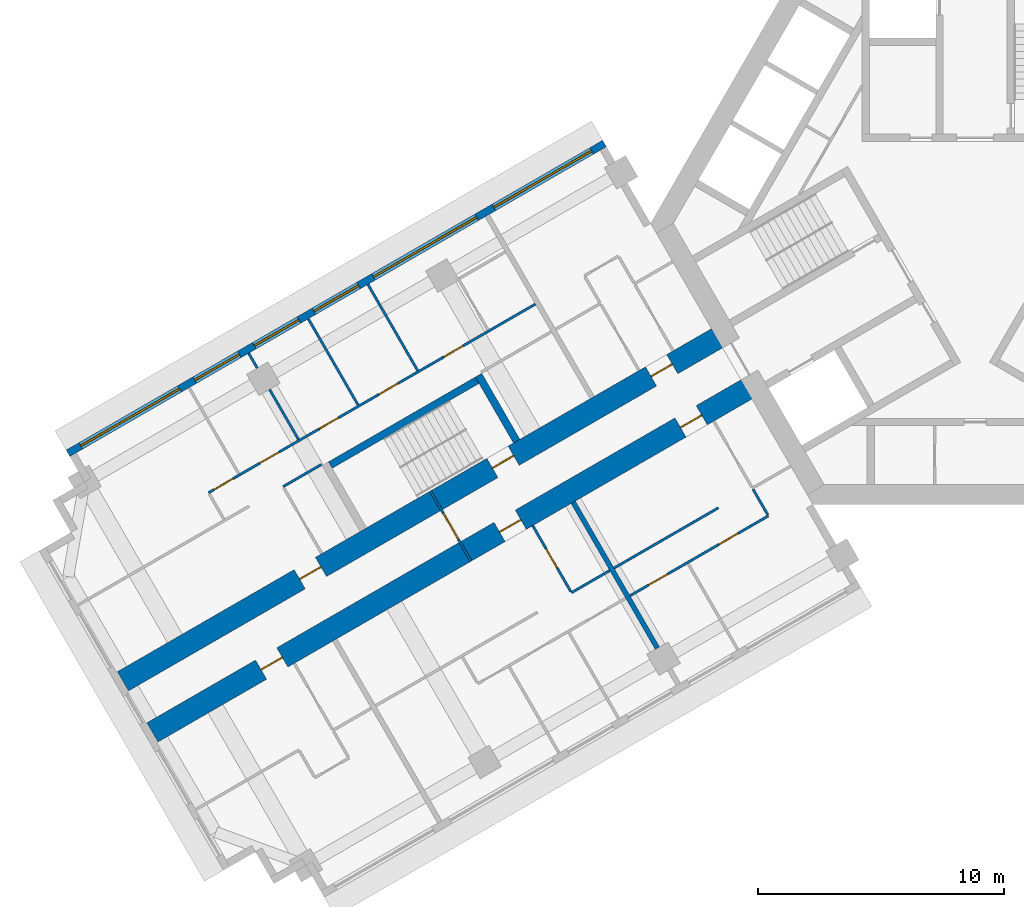
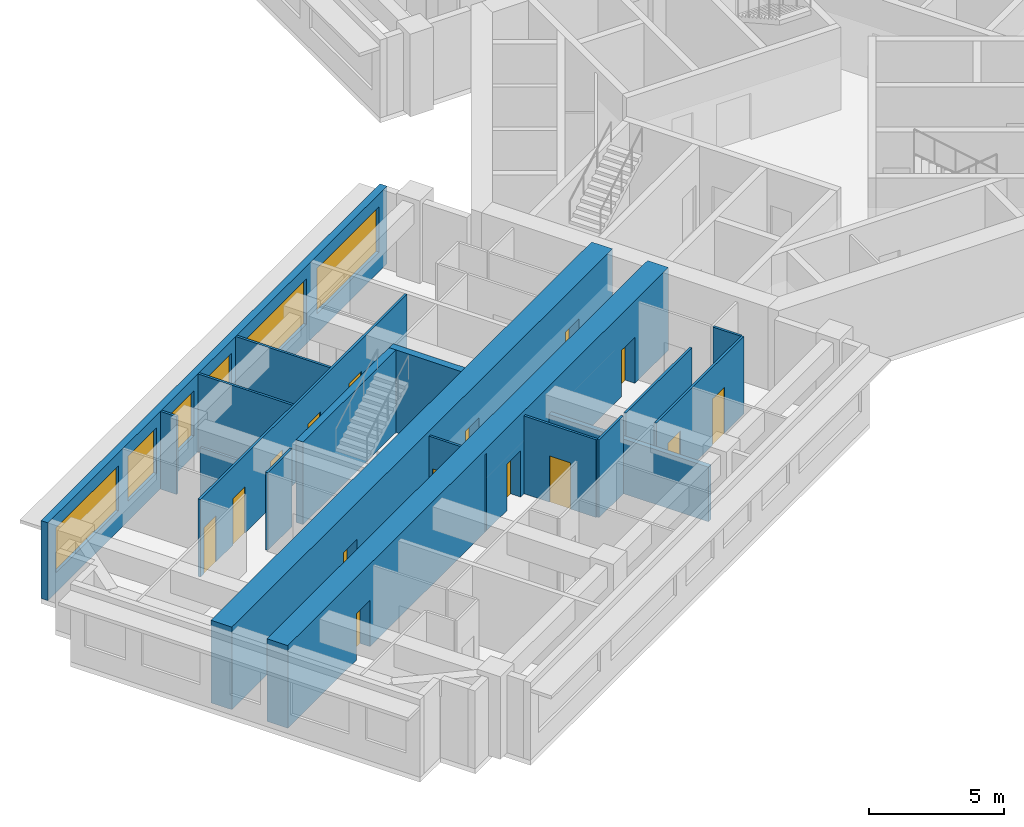
# One storey, part 4 of 14: 18 walls, 15 doors, 6 windows, 21 openings.
"""IFC4 building model written with IfcOpenShell, lengths in metres."""

from ifc_helpers import new_model, si_unit, direction, frame, frame_2d, origin, place, context, subcontext, project, spatial, rectangle, extrude, material, layer, layer_set, type_object, element, fill, save


model = new_model("IFC4")

# Units and contexts
model_context = context("Model", 3, precision=1e-05, world=origin(), true_north=direction((0.0, 1.0)))
body_context = subcontext(model_context, "Body", "Model", "MODEL_VIEW")
ifc_project = project(units=[si_unit("LENGTHUNIT", "METRE"), si_unit("AREAUNIT", "SQUARE_METRE"), si_unit("VOLUMEUNIT", "CUBIC_METRE"), si_unit("PLANEANGLEUNIT", "RADIAN"), si_unit("MASSUNIT", "GRAM", prefix="KILO")], contexts=[model_context])

# Site, building, storey
site_placement = place(None, origin())
site = spatial("IfcSite", under=ifc_project, at=site_placement, CompositionType="ELEMENT")
building_placement = place(site_placement, origin())
building = spatial("IfcBuilding", under=site, at=building_placement, Name="Impinga Residences", CompositionType="ELEMENT")
storey_placement = place(building_placement, frame((0.0, 0.0, 154.75)))
storey = spatial("IfcBuildingStorey", under=building, at=storey_placement, Name="L38", CompositionType="ELEMENT", Elevation=154.75)

# Wall, openings, doors
ifc_material_1 = material(Name="Concrete C60/75", Category="concrete")
ifc_layer_1 = layer(ifc_material_1, 0.89990234375)
ifc_layer_set_1 = layer_set([ifc_layer_1], Name="Concrete C60/75")
wall_type_1 = type_object("IfcWallType", Name="BW2 corridor buttress wall, L24 to L44 900", PredefinedType="SHEAR", material=ifc_layer_set_1)
wall_1_placement = place(storey_placement, frame((-8.95361328125, -6.554931640625, 0.0), z_axis=(0.0, 0.0, 1.0), x_axis=(-0.866023392092, -0.500003484338, 0.0)))
wall_1 = element("IfcWall", 1, at=wall_1_placement, inside=storey, type_object=wall_type_1, Name="Corridor wall BW2 WC L38", PredefinedType="SHEAR", context=body_context, shape_type="SweptSolid", body=[
    extrude(rectangle(XDim=28.300048828125, YDim=0.89990234375, at=frame_2d((14.14990234375, 0.0))), origin(), (0.0, 0.0, 1.0), 3.75),
])
opening_1_placement = place(wall_1_placement, frame((2.5, 0.0, 0.0)))
opening_1 = element("IfcOpeningElement", 2, at=opening_1_placement, cuts=wall_1, Name="Opening D1", PredefinedType="OPENING", context=body_context, shape_type="SweptSolid", body=[
    extrude(rectangle(XDim=1.0, YDim=2.10009765625, at=frame_2d((0.5, 1.050048828125))), frame((0.0, 0.4599609375, 0.0), z_axis=(0.0, -1.0, 0.0), x_axis=(1.0, 0.0, 0.0)), (0.0, 0.0, 1.0), 0.919921875),
])
opening_2_placement = place(wall_1_placement, frame((11.0, 0.0, 0.0)))
opening_2 = element("IfcOpeningElement", 3, at=opening_2_placement, cuts=wall_1, Name="Opening D1", PredefinedType="OPENING", context=body_context, shape_type="SweptSolid", body=[
    extrude(rectangle(XDim=1.0, YDim=2.10009765625, at=frame_2d((0.5, 1.050048828125))), frame((0.0, 0.4599609375, 0.0), z_axis=(0.0, -1.0, 0.0), x_axis=(1.0, 0.0, 0.0)), (0.0, 0.0, 1.0), 0.919921875),
])
opening_3_placement = place(wall_1_placement, frame((22.199951171875, 0.0, 0.0)))
opening_3 = element("IfcOpeningElement", 4, at=opening_3_placement, cuts=wall_1, Name="Opening D1", PredefinedType="OPENING", context=body_context, shape_type="SweptSolid", body=[
    extrude(rectangle(XDim=1.0, YDim=2.10009765625, at=frame_2d((0.5, 1.050048828125))), frame((0.0, 0.4599609375, 0.0), z_axis=(0.0, -1.0, 0.0), x_axis=(1.0, 0.0, 0.0)), (0.0, 0.0, 1.0), 0.919921875),
])
ifc_material_2 = material(Name="Timber door set", Category="wood")
door_type_1 = type_object("IfcDoorType", Name="D1 apartment entrance door 1000x2100", OperationType="SINGLE_SWING_LEFT", PredefinedType="DOOR", material=ifc_material_2)
door_1_placement = place(opening_1_placement, origin())
door_1 = element("IfcDoor", 5, at=door_1_placement, inside=storey, type_object=door_type_1, Name="Apartment L38-WA1 entrance", OperationType="SINGLE_SWING_LEFT", OverallHeight=2.10009765625, OverallWidth=1.0, PredefinedType="DOOR", context=body_context, shape_type="SweptSolid", body=[
    extrude(rectangle(XDim=1.0, YDim=2.10009765625, at=frame_2d((0.5, 1.050048828125))), frame((0.0, 0.02490234375, 0.0), z_axis=(0.0, -1.0, 0.0), x_axis=(1.0, 0.0, 0.0)), (0.0, 0.0, 1.0), 0.050048828125),
])
fill(opening_1, door_1)
door_2_placement = place(opening_2_placement, origin())
door_2 = element("IfcDoor", 6, at=door_2_placement, inside=storey, type_object=door_type_1, Name="Apartment L38-WA2 entrance", OperationType="SINGLE_SWING_LEFT", OverallHeight=2.10009765625, OverallWidth=1.0, PredefinedType="DOOR", context=body_context, shape_type="SweptSolid", body=[
    extrude(rectangle(XDim=1.0, YDim=2.10009765625, at=frame_2d((0.5, 1.050048828125))), frame((0.0, 0.02490234375, 0.0), z_axis=(0.0, -1.0, 0.0), x_axis=(1.0, 0.0, 0.0)), (0.0, 0.0, 1.0), 0.050048828125),
])
fill(opening_2, door_2)
door_3_placement = place(opening_3_placement, origin())
door_3 = element("IfcDoor", 7, at=door_3_placement, inside=storey, type_object=door_type_1, Name="Apartment L38-WA3 entrance", OperationType="SINGLE_SWING_RIGHT", OverallHeight=2.10009765625, OverallWidth=1.0, PredefinedType="DOOR", context=body_context, shape_type="SweptSolid", body=[
    extrude(rectangle(XDim=1.0, YDim=2.10009765625, at=frame_2d((0.5, 1.050048828125))), frame((0.0, 0.02490234375, 0.0), z_axis=(0.0, -1.0, 0.0), x_axis=(1.0, 0.0, 0.0)), (0.0, 0.0, 1.0), 0.050048828125),
])
fill(opening_3, door_3)

wall_2_placement = place(storey_placement, frame((-10.153564453125, -4.4765625, 0.0), z_axis=(0.0, 0.0, 1.0), x_axis=(-0.866027127636, -0.49999701419, 0.0)))
wall_2 = element("IfcWall", 8, at=wall_2_placement, inside=storey, type_object=wall_type_1, Name="Corridor wall BW2 WD L38", PredefinedType="SHEAR", context=body_context, shape_type="SweptSolid", body=[
    extrude(rectangle(XDim=28.300048828125, YDim=0.89990234375, at=frame_2d((14.14990234375, 0.0))), origin(), (0.0, 0.0, 1.0), 3.75),
])
opening_4_placement = place(wall_2_placement, frame((9.949951171875, 0.0, 0.0)))
opening_4 = element("IfcOpeningElement", 9, at=opening_4_placement, cuts=wall_2, Name="Opening D5", PredefinedType="OPENING", context=body_context, shape_type="SweptSolid", body=[
    extrude(rectangle(XDim=1.0, YDim=2.10009765625, at=frame_2d((0.5, 1.050048828125))), frame((0.0, 0.4599609375, 0.0), z_axis=(0.0, -1.0, 0.0), x_axis=(1.0, 0.0, 0.0)), (0.0, 0.0, 1.0), 0.919921875),
])
opening_5_placement = place(wall_2_placement, frame((2.5, 0.0, 0.0)))
opening_5 = element("IfcOpeningElement", 10, at=opening_5_placement, cuts=wall_2, Name="Opening D1", PredefinedType="OPENING", context=body_context, shape_type="SweptSolid", body=[
    extrude(rectangle(XDim=1.0, YDim=2.10009765625, at=frame_2d((0.5, 1.050048828125))), frame((0.0, 0.4599609375, 0.0), z_axis=(0.0, -1.0, 0.0), x_axis=(1.0, 0.0, 0.0)), (0.0, 0.0, 1.0), 0.919921875),
])
opening_6_placement = place(wall_2_placement, frame((19.0, 0.0, 0.0)))
opening_6 = element("IfcOpeningElement", 11, at=opening_6_placement, cuts=wall_2, Name="Opening D1", PredefinedType="OPENING", context=body_context, shape_type="SweptSolid", body=[
    extrude(rectangle(XDim=1.0, YDim=2.10009765625, at=frame_2d((0.5, 1.050048828125))), frame((0.0, 0.4599609375, 0.0), z_axis=(0.0, -1.0, 0.0), x_axis=(1.0, 0.0, 0.0)), (0.0, 0.0, 1.0), 0.919921875),
])
door_4_placement = place(opening_5_placement, origin())
door_4 = element("IfcDoor", 12, at=door_4_placement, inside=storey, type_object=door_type_1, Name="Apartment L38-WF1 entrance", OperationType="SINGLE_SWING_LEFT", OverallHeight=2.10009765625, OverallWidth=1.0, PredefinedType="DOOR", context=body_context, shape_type="SweptSolid", body=[
    extrude(rectangle(XDim=1.0, YDim=2.10009765625, at=frame_2d((0.5, 1.050048828125))), frame((0.0, 0.02490234375, 0.0), z_axis=(0.0, -1.0, 0.0), x_axis=(1.0, 0.0, 0.0)), (0.0, 0.0, 1.0), 0.050048828125),
])
fill(opening_5, door_4)
door_5_placement = place(opening_6_placement, origin())
door_5 = element("IfcDoor", 13, at=door_5_placement, inside=storey, type_object=door_type_1, Name="Apartment L38-WF2 entrance", OperationType="SINGLE_SWING_RIGHT", OverallHeight=2.10009765625, OverallWidth=1.0, PredefinedType="DOOR", context=body_context, shape_type="SweptSolid", body=[
    extrude(rectangle(XDim=1.0, YDim=2.10009765625, at=frame_2d((0.5, 1.050048828125))), frame((0.0, 0.02490234375, 0.0), z_axis=(0.0, -1.0, 0.0), x_axis=(1.0, 0.0, 0.0)), (0.0, 0.0, 1.0), 0.050048828125),
])
fill(opening_6, door_5)
door_type_2 = type_object("IfcDoorType", Name="D5 stair door 1000x2100", OperationType="SINGLE_SWING_LEFT", PredefinedType="DOOR", material=ifc_material_2)
door_6_placement = place(opening_4_placement, origin())
door_6 = element("IfcDoor", 14, at=door_6_placement, inside=storey, type_object=door_type_2, Name="Wing stair door W", OperationType="SINGLE_SWING_LEFT", OverallHeight=2.10009765625, OverallWidth=1.0, PredefinedType="DOOR", context=body_context, shape_type="SweptSolid", body=[
    extrude(rectangle(XDim=1.0, YDim=2.10009765625, at=frame_2d((0.5, 1.050048828125))), frame((0.0, 0.02490234375, 0.0), z_axis=(0.0, -1.0, 0.0), x_axis=(1.0, 0.0, 0.0)), (0.0, 0.0, 1.0), 0.050048828125),
])
fill(opening_4, door_6)

# Wall, opening, door
ifc_material_3 = material(Name="Concrete blockwork", Category="masonry")
ifc_layer_2 = layer(ifc_material_3, 0.10009765625)
ifc_layer_set_2 = layer_set([ifc_layer_2], Name="CP1 core room partition, blockwork 100")
wall_type_2 = type_object("IfcWallType", Name="CP1 core room partition, blockwork 100", PredefinedType="PARTITIONING", material=ifc_layer_set_2)
wall_3_placement = place(storey_placement, frame((-20.506591796875, -13.74462890625, 0.0), z_axis=(0.0, 0.0, 1.0), x_axis=(-0.499974350878, 0.866040211805, 0.0)))
wall_3 = element("IfcWall", 15, at=wall_3_placement, inside=storey, type_object=wall_type_2, Name="Core room partition, blockwork L38:W:PLB", PredefinedType="PARTITIONING", context=body_context, shape_type="SweptSolid", body=[
    extrude(rectangle(XDim=3.300048828125, YDim=0.10009765625, at=frame_2d((1.64990234375, 0.0))), origin(), (0.0, 0.0, 1.0), 3.530029296875),
])
opening_7_placement = place(wall_3_placement, frame((1.050048828125, 0.0, 0.0)))
opening_7 = element("IfcOpeningElement", 16, at=opening_7_placement, cuts=wall_3, Name="Opening D3", PredefinedType="OPENING", context=body_context, shape_type="SweptSolid", body=[
    extrude(rectangle(XDim=1.199951171875, YDim=2.10009765625, at=frame_2d((0.60009765625, 1.050048828125))), frame((0.0, 0.06005859375, 0.0), z_axis=(0.0, -1.0, 0.0), x_axis=(1.0, 0.0, 0.0)), (0.0, 0.0, 1.0), 0.1201171875),
])
door_type_3 = type_object("IfcDoorType", Name="D3 room door, leaf and a half 1200x2100", OperationType="DOUBLE_SWING_LEFT", PredefinedType="DOOR", material=ifc_material_2)
door_7_placement = place(opening_7_placement, origin())
door_7 = element("IfcDoor", 17, at=door_7_placement, inside=storey, type_object=door_type_3, Name="Private lobby door W", OperationType="DOUBLE_SWING_LEFT", OverallHeight=2.10009765625, OverallWidth=1.199951171875, PredefinedType="DOOR", context=body_context, shape_type="SweptSolid", body=[
    extrude(rectangle(XDim=1.199951171875, YDim=2.10009765625, at=frame_2d((0.60009765625, 1.050048828125))), frame((0.0, 0.02490234375, 0.0), z_axis=(0.0, -1.0, 0.0), x_axis=(1.0, 0.0, 0.0)), (0.0, 0.0, 1.0), 0.050048828125),
])
fill(opening_7, door_7)

# Wall, openings, windows
ifc_material_4 = material(Name="Terracotta rainscreen on blockwork", Category="masonry")
ifc_layer_3 = layer(ifc_material_4, 0.300048828125)
ifc_layer_set_3 = layer_set([ifc_layer_3], Name="EW1 external wall, terracotta rainscreen on blockwork 300")
wall_type_3 = type_object("IfcWallType", Name="EW1 external wall, terracotta rainscreen on blockwork 300", PredefinedType="SOLIDWALL", material=ifc_layer_set_3)
wall_4_placement = place(storey_placement, frame((-36.89892578125, -9.352294921875, 0.0), z_axis=(0.0, 0.0, 1.0), x_axis=(0.86602925447, 0.499993330357, 0.0)))
wall_4 = element("IfcWall", 18, at=wall_4_placement, inside=storey, type_object=wall_type_3, Name="External wall EW1 L38", PredefinedType="SOLIDWALL", context=body_context, shape_type="SweptSolid", body=[
    extrude(rectangle(XDim=25.199951171875, YDim=0.300048828125, at=frame_2d((12.60009765625, 0.0))), origin(), (0.0, 0.0, 1.0), 3.530029296875),
])
opening_8_placement = place(wall_4_placement, frame((0.60009765625, 0.0, 0.89990234375)))
opening_8 = element("IfcOpeningElement", 19, at=opening_8_placement, cuts=wall_4, Name="Opening W10", PredefinedType="OPENING", context=body_context, shape_type="SweptSolid", body=[
    extrude(rectangle(XDim=4.64990234375, YDim=2.050048828125, at=frame_2d((2.324951171875, 1.02490234375))), frame((0.0, 0.159912109375, 0.0), z_axis=(0.0, -1.0, 0.0), x_axis=(1.0, 0.0, 0.0)), (0.0, 0.0, 1.0), 0.320068359375),
])
opening_9_placement = place(wall_4_placement, frame((5.949951171875, 0.0, 0.89990234375)))
opening_9 = element("IfcOpeningElement", 20, at=opening_9_placement, cuts=wall_4, Name="Opening W9", PredefinedType="OPENING", context=body_context, shape_type="SweptSolid", body=[
    extrude(rectangle(XDim=2.10009765625, YDim=2.050048828125, at=frame_2d((1.050048828125, 1.02490234375))), frame((0.0, 0.159912109375, 0.0), z_axis=(0.0, -1.0, 0.0), x_axis=(1.0, 0.0, 0.0)), (0.0, 0.0, 1.0), 0.320068359375),
])
opening_10_placement = place(wall_4_placement, frame((8.75, 0.0, 0.89990234375)))
opening_10 = element("IfcOpeningElement", 21, at=opening_10_placement, cuts=wall_4, Name="Opening W9", PredefinedType="OPENING", context=body_context, shape_type="SweptSolid", body=[
    extrude(rectangle(XDim=2.10009765625, YDim=2.050048828125, at=frame_2d((1.050048828125, 1.02490234375))), frame((0.0, 0.159912109375, 0.0), z_axis=(0.0, -1.0, 0.0), x_axis=(1.0, 0.0, 0.0)), (0.0, 0.0, 1.0), 0.320068359375),
])
opening_11_placement = place(wall_4_placement, frame((11.550048828125, 0.0, 0.89990234375)))
opening_11 = element("IfcOpeningElement", 22, at=opening_11_placement, cuts=wall_4, Name="Opening W9", PredefinedType="OPENING", context=body_context, shape_type="SweptSolid", body=[
    extrude(rectangle(XDim=2.10009765625, YDim=2.050048828125, at=frame_2d((1.050048828125, 1.02490234375))), frame((0.0, 0.159912109375, 0.0), z_axis=(0.0, -1.0, 0.0), x_axis=(1.0, 0.0, 0.0)), (0.0, 0.0, 1.0), 0.320068359375),
])
opening_12_placement = place(wall_4_placement, frame((14.35009765625, 0.0, 0.89990234375)))
opening_12 = element("IfcOpeningElement", 23, at=opening_12_placement, cuts=wall_4, Name="Opening W6", PredefinedType="OPENING", context=body_context, shape_type="SweptSolid", body=[
    extrude(rectangle(XDim=4.85009765625, YDim=2.050048828125, at=frame_2d((2.425048828125, 1.02490234375))), frame((0.0, 0.159912109375, 0.0), z_axis=(0.0, -1.0, 0.0), x_axis=(1.0, 0.0, 0.0)), (0.0, 0.0, 1.0), 0.320068359375),
])
opening_13_placement = place(wall_4_placement, frame((20.0, 0.0, 0.89990234375)))
opening_13 = element("IfcOpeningElement", 24, at=opening_13_placement, cuts=wall_4, Name="Opening W3", PredefinedType="OPENING", context=body_context, shape_type="SweptSolid", body=[
    extrude(rectangle(XDim=4.60009765625, YDim=2.050048828125, at=frame_2d((2.300048828125, 1.02490234375))), frame((0.0, 0.159912109375, 0.0), z_axis=(0.0, -1.0, 0.0), x_axis=(1.0, 0.0, 0.0)), (0.0, 0.0, 1.0), 0.320068359375),
])
ifc_material_5 = material(Name="Aluminium window, clear double glazing", Category="aluminium")
window_type_1 = type_object("IfcWindowType", Name="W10 ribbon window 4650x2050", PartitioningType="SINGLE_PANEL", PredefinedType="WINDOW", material=ifc_material_5)
window_1_placement = place(opening_8_placement, origin())
window_1 = element("IfcWindow", 25, at=window_1_placement, inside=storey, type_object=window_type_1, Name="Window L38", OverallHeight=2.050048828125, OverallWidth=4.64990234375, PartitioningType="SINGLE_PANEL", PredefinedType="WINDOW", context=body_context, shape_type="SweptSolid", body=[
    extrude(rectangle(XDim=4.64990234375, YDim=2.050048828125, at=frame_2d((2.324951171875, 1.02490234375))), frame((0.0, 0.030029296875, 0.0), z_axis=(0.0, -1.0, 0.0), x_axis=(1.0, 0.0, 0.0)), (0.0, 0.0, 1.0), 0.06005859375),
])
fill(opening_8, window_1)
window_type_2 = type_object("IfcWindowType", Name="W3 ribbon window 4600x2050", PartitioningType="SINGLE_PANEL", PredefinedType="WINDOW", material=ifc_material_5)
window_2_placement = place(opening_13_placement, origin())
window_2 = element("IfcWindow", 26, at=window_2_placement, inside=storey, type_object=window_type_2, Name="Window L38", OverallHeight=2.050048828125, OverallWidth=4.60009765625, PartitioningType="SINGLE_PANEL", PredefinedType="WINDOW", context=body_context, shape_type="SweptSolid", body=[
    extrude(rectangle(XDim=4.60009765625, YDim=2.050048828125, at=frame_2d((2.300048828125, 1.02490234375))), frame((0.0, 0.030029296875, 0.0), z_axis=(0.0, -1.0, 0.0), x_axis=(1.0, 0.0, 0.0)), (0.0, 0.0, 1.0), 0.06005859375),
])
fill(opening_13, window_2)
window_type_3 = type_object("IfcWindowType", Name="W6 ribbon window 4850x2050", PartitioningType="SINGLE_PANEL", PredefinedType="WINDOW", material=ifc_material_5)
window_3_placement = place(opening_12_placement, origin())
window_3 = element("IfcWindow", 27, at=window_3_placement, inside=storey, type_object=window_type_3, Name="Window L38", OverallHeight=2.050048828125, OverallWidth=4.85009765625, PartitioningType="SINGLE_PANEL", PredefinedType="WINDOW", context=body_context, shape_type="SweptSolid", body=[
    extrude(rectangle(XDim=4.85009765625, YDim=2.050048828125, at=frame_2d((2.425048828125, 1.02490234375))), frame((0.0, 0.030029296875, 0.0), z_axis=(0.0, -1.0, 0.0), x_axis=(1.0, 0.0, 0.0)), (0.0, 0.0, 1.0), 0.06005859375),
])
fill(opening_12, window_3)
window_type_4 = type_object("IfcWindowType", Name="W9 ribbon window 2100x2050", PartitioningType="SINGLE_PANEL", PredefinedType="WINDOW", material=ifc_material_5)
window_4_placement = place(opening_9_placement, origin())
window_4 = element("IfcWindow", 28, at=window_4_placement, inside=storey, type_object=window_type_4, Name="Window L38", OverallHeight=2.050048828125, OverallWidth=2.10009765625, PartitioningType="SINGLE_PANEL", PredefinedType="WINDOW", context=body_context, shape_type="SweptSolid", body=[
    extrude(rectangle(XDim=2.10009765625, YDim=2.050048828125, at=frame_2d((1.050048828125, 1.02490234375))), frame((0.0, 0.030029296875, 0.0), z_axis=(0.0, -1.0, 0.0), x_axis=(1.0, 0.0, 0.0)), (0.0, 0.0, 1.0), 0.06005859375),
])
fill(opening_9, window_4)
window_5_placement = place(opening_10_placement, origin())
window_5 = element("IfcWindow", 29, at=window_5_placement, inside=storey, type_object=window_type_4, Name="Window L38", OverallHeight=2.050048828125, OverallWidth=2.10009765625, PartitioningType="SINGLE_PANEL", PredefinedType="WINDOW", context=body_context, shape_type="SweptSolid", body=[
    extrude(rectangle(XDim=2.10009765625, YDim=2.050048828125, at=frame_2d((1.050048828125, 1.02490234375))), frame((0.0, 0.030029296875, 0.0), z_axis=(0.0, -1.0, 0.0), x_axis=(1.0, 0.0, 0.0)), (0.0, 0.0, 1.0), 0.06005859375),
])
fill(opening_10, window_5)
window_6_placement = place(opening_11_placement, origin())
window_6 = element("IfcWindow", 30, at=window_6_placement, inside=storey, type_object=window_type_4, Name="Window L38", OverallHeight=2.050048828125, OverallWidth=2.10009765625, PartitioningType="SINGLE_PANEL", PredefinedType="WINDOW", context=body_context, shape_type="SweptSolid", body=[
    extrude(rectangle(XDim=2.10009765625, YDim=2.050048828125, at=frame_2d((1.050048828125, 1.02490234375))), frame((0.0, 0.030029296875, 0.0), z_axis=(0.0, -1.0, 0.0), x_axis=(1.0, 0.0, 0.0)), (0.0, 0.0, 1.0), 0.06005859375),
])
fill(opening_11, window_6)

# Wall
ifc_material_6 = material(Name="Gypsum board on steel studs", Category="steel")
ifc_layer_4 = layer(ifc_material_6, 0.10009765625)
ifc_layer_set_4 = layer_set([ifc_layer_4], Name="Gypsum board on steel studs")
wall_type_4 = type_object("IfcWallType", Name="IP1 partition 100", PredefinedType="PARTITIONING", material=ifc_layer_set_4)
wall_5_placement = place(storey_placement, frame((-10.444580078125, -11.57275390625, 0.0), z_axis=(0.0, 0.0, 1.0), x_axis=(-0.866023786258, -0.500002801628, 0.0)))
element("IfcWall", 31, at=wall_5_placement, inside=storey, type_object=wall_type_4, Name="Partition L38-WA1:DIV1", PredefinedType="PARTITIONING", context=body_context, shape_type="SweptSolid", body=[
    extrude(rectangle(XDim=4.89990234375, YDim=0.10009765625, at=frame_2d((2.449951171875, 0.0))), origin(), (0.0, 0.0, 1.0), 3.530029296875),
])

# Wall, openings, doors
wall_6_placement = place(storey_placement, frame((-8.408935546875, -11.8984375, 0.0), z_axis=(0.0, 0.0, 1.0), x_axis=(-0.866024837091, -0.50000098154, 0.0)))
wall_6 = element("IfcWall", 32, at=wall_6_placement, inside=storey, type_object=wall_type_4, Name="Partition L38-WA1:STRIP", PredefinedType="PARTITIONING", context=body_context, shape_type="SweptSolid", body=[
    extrude(rectangle(XDim=6.5, YDim=0.10009765625, at=frame_2d((3.25, 0.0))), origin(), (0.0, 0.0, 1.0), 3.530029296875),
])
opening_14_placement = place(wall_6_placement, frame((1.425048828125, 0.0, 0.0)))
opening_14 = element("IfcOpeningElement", 33, at=opening_14_placement, cuts=wall_6, Name="Opening D2", PredefinedType="OPENING", context=body_context, shape_type="SweptSolid", body=[
    extrude(rectangle(XDim=0.89990234375, YDim=2.10009765625, at=frame_2d((0.449951171875, 1.050048828125))), frame((0.0, 0.06005859375, 0.0), z_axis=(0.0, -1.0, 0.0), x_axis=(1.0, 0.0, 0.0)), (0.0, 0.0, 1.0), 0.1201171875),
])
opening_15_placement = place(wall_6_placement, frame((4.72509765625, 0.0, 0.0)))
opening_15 = element("IfcOpeningElement", 34, at=opening_15_placement, cuts=wall_6, Name="Opening D2", PredefinedType="OPENING", context=body_context, shape_type="SweptSolid", body=[
    extrude(rectangle(XDim=0.89990234375, YDim=2.10009765625, at=frame_2d((0.449951171875, 1.050048828125))), frame((0.0, 0.06005859375, 0.0), z_axis=(0.0, -1.0, 0.0), x_axis=(1.0, 0.0, 0.0)), (0.0, 0.0, 1.0), 0.1201171875),
])
door_type_4 = type_object("IfcDoorType", Name="D2 internal door 900x2100", OperationType="SINGLE_SWING_LEFT", PredefinedType="DOOR", material=ifc_material_2)
door_8_placement = place(opening_14_placement, origin())
door_8 = element("IfcDoor", 35, at=door_8_placement, inside=storey, type_object=door_type_4, Name="Apartment L38-WA1 room door", OperationType="SINGLE_SWING_LEFT", OverallHeight=2.10009765625, OverallWidth=0.89990234375, PredefinedType="DOOR", context=body_context, shape_type="SweptSolid", body=[
    extrude(rectangle(XDim=0.89990234375, YDim=2.10009765625, at=frame_2d((0.449951171875, 1.050048828125))), frame((0.0, 0.02490234375, 0.0), z_axis=(0.0, -1.0, 0.0), x_axis=(1.0, 0.0, 0.0)), (0.0, 0.0, 1.0), 0.050048828125),
])
fill(opening_14, door_8)
door_9_placement = place(opening_15_placement, origin())
door_9 = element("IfcDoor", 36, at=door_9_placement, inside=storey, type_object=door_type_4, Name="Apartment L38-WA1 room door", OperationType="SINGLE_SWING_RIGHT", OverallHeight=2.10009765625, OverallWidth=0.89990234375, PredefinedType="DOOR", context=body_context, shape_type="SweptSolid", body=[
    extrude(rectangle(XDim=0.89990234375, YDim=2.10009765625, at=frame_2d((0.449951171875, 1.050048828125))), frame((0.0, 0.02490234375, 0.0), z_axis=(0.0, -1.0, 0.0), x_axis=(1.0, 0.0, 0.0)), (0.0, 0.0, 1.0), 0.050048828125),
])
fill(opening_15, door_9)

# Walls
wall_7_placement = place(storey_placement, frame((-9.033935546875, -10.81591796875, 0.0), z_axis=(0.0, 0.0, 1.0), x_axis=(0.500033551112, -0.866006032174, 0.0)))
element("IfcWall", 37, at=wall_7_placement, inside=storey, type_object=wall_type_4, Name="Partition L38-WA1:SE0", PredefinedType="PARTITIONING", context=body_context, shape_type="SweptSolid", body=[
    extrude(rectangle(XDim=1.2001953125, YDim=0.10009765625, at=frame_2d((0.60009765625, 0.0))), origin(), (0.0, 0.0, 1.0), 3.530029296875),
])
wall_8_placement = place(storey_placement, frame((-14.861328125, -14.122802734375, 0.0), z_axis=(0.0, 0.0, 1.0), x_axis=(-0.866047807691, -0.499961193289, 0.0)))
element("IfcWall", 38, at=wall_8_placement, inside=storey, type_object=wall_type_4, Name="Partition L38-WA2:DIV0", PredefinedType="PARTITIONING", context=body_context, shape_type="SweptSolid", body=[
    extrude(rectangle(XDim=1.800048828125, YDim=0.10009765625, at=frame_2d((0.89990234375, 0.0))), origin(), (0.0, 0.0, 1.0), 3.530029296875),
])

# Wall, opening, door
wall_9_placement = place(storey_placement, frame((-17.9951171875, -12.294677734375, 0.0), z_axis=(0.0, 0.0, 1.0), x_axis=(0.49999285859, -0.86602952684, 0.0)))
wall_9 = element("IfcWall", 39, at=wall_9_placement, inside=storey, type_object=wall_type_4, Name="Partition L38-WA2:IB1", PredefinedType="PARTITIONING", context=body_context, shape_type="SweptSolid", body=[
    extrude(rectangle(XDim=3.10009765625, YDim=0.10009765625, at=frame_2d((1.550048828125, 0.0))), origin(), (0.0, 0.0, 1.0), 3.530029296875),
])
opening_16_placement = place(wall_9_placement, frame((1.10009765625, 0.0, 0.0)))
opening_16 = element("IfcOpeningElement", 40, at=opening_16_placement, cuts=wall_9, Name="Opening D2", PredefinedType="OPENING", context=body_context, shape_type="SweptSolid", body=[
    extrude(rectangle(XDim=0.89990234375, YDim=2.10009765625, at=frame_2d((0.449951171875, 1.050048828125))), frame((0.0, 0.06005859375, 0.0), z_axis=(0.0, -1.0, 0.0), x_axis=(1.0, 0.0, 0.0)), (0.0, 0.0, 1.0), 0.1201171875),
])
door_10_placement = place(opening_16_placement, origin())
door_10 = element("IfcDoor", 41, at=door_10_placement, inside=storey, type_object=door_type_4, Name="Apartment L38-WA2 bathroom door", OperationType="SINGLE_SWING_LEFT", OverallHeight=2.10009765625, OverallWidth=0.89990234375, PredefinedType="DOOR", context=body_context, shape_type="SweptSolid", body=[
    extrude(rectangle(XDim=0.89990234375, YDim=2.10009765625, at=frame_2d((0.449951171875, 1.050048828125))), frame((0.0, 0.02490234375, 0.0), z_axis=(0.0, -1.0, 0.0), x_axis=(1.0, 0.0, 0.0)), (0.0, 0.0, 1.0), 0.050048828125),
])
fill(opening_16, door_10)

# Wall
wall_10_placement = place(storey_placement, frame((-26.58935546875, -9.808837890625, 0.0), z_axis=(0.0, 0.0, 1.0), x_axis=(-0.866047807691, -0.499961193289, 0.0)))
element("IfcWall", 42, at=wall_10_placement, inside=storey, type_object=wall_type_4, Name="Partition L38-WF2:DIV1", PredefinedType="PARTITIONING", context=body_context, shape_type="SweptSolid", body=[
    extrude(rectangle(XDim=1.800048828125, YDim=0.10009765625, at=frame_2d((0.89990234375, 0.0))), origin(), (0.0, 0.0, 1.0), 3.530029296875),
])

# Wall, openings, doors
wall_11_placement = place(storey_placement, frame((-17.88623046875, -3.282958984375, 0.0), z_axis=(0.0, 0.0, 1.0), x_axis=(-0.866027466469, -0.499996427309, 0.0)))
wall_11 = element("IfcWall", 43, at=wall_11_placement, inside=storey, type_object=wall_type_4, Name="Partition L38-WF2:STRIP", PredefinedType="PARTITIONING", context=body_context, shape_type="SweptSolid", body=[
    extrude(rectangle(XDim=15.35009765625, YDim=0.10009765625, at=frame_2d((7.675048828125, 0.0))), origin(), (0.0, 0.0, 1.0), 3.530029296875),
])
opening_17_placement = place(wall_11_placement, frame((3.39990234375, 0.0, 0.0)))
opening_17 = element("IfcOpeningElement", 44, at=opening_17_placement, cuts=wall_11, Name="Opening D2", PredefinedType="OPENING", context=body_context, shape_type="SweptSolid", body=[
    extrude(rectangle(XDim=0.89990234375, YDim=2.10009765625, at=frame_2d((0.449951171875, 1.050048828125))), frame((0.0, 0.06005859375, 0.0), z_axis=(0.0, -1.0, 0.0), x_axis=(1.0, 0.0, 0.0)), (0.0, 0.0, 1.0), 0.1201171875),
])
opening_18_placement = place(wall_11_placement, frame((6.449951171875, 0.0, 0.0)))
opening_18 = element("IfcOpeningElement", 45, at=opening_18_placement, cuts=wall_11, Name="Opening D2", PredefinedType="OPENING", context=body_context, shape_type="SweptSolid", body=[
    extrude(rectangle(XDim=0.89990234375, YDim=2.10009765625, at=frame_2d((0.449951171875, 1.050048828125))), frame((0.0, 0.06005859375, 0.0), z_axis=(0.0, -1.0, 0.0), x_axis=(1.0, 0.0, 0.0)), (0.0, 0.0, 1.0), 0.1201171875),
])
opening_19_placement = place(wall_11_placement, frame((9.25, 0.0, 0.0)))
opening_19 = element("IfcOpeningElement", 46, at=opening_19_placement, cuts=wall_11, Name="Opening D2", PredefinedType="OPENING", context=body_context, shape_type="SweptSolid", body=[
    extrude(rectangle(XDim=0.89990234375, YDim=2.10009765625, at=frame_2d((0.449951171875, 1.050048828125))), frame((0.0, 0.06005859375, 0.0), z_axis=(0.0, -1.0, 0.0), x_axis=(1.0, 0.0, 0.0)), (0.0, 0.0, 1.0), 0.1201171875),
])
opening_20_placement = place(wall_11_placement, frame((12.050048828125, 0.0, 0.0)))
opening_20 = element("IfcOpeningElement", 47, at=opening_20_placement, cuts=wall_11, Name="Opening D2", PredefinedType="OPENING", context=body_context, shape_type="SweptSolid", body=[
    extrude(rectangle(XDim=0.89990234375, YDim=2.10009765625, at=frame_2d((0.449951171875, 1.050048828125))), frame((0.0, 0.06005859375, 0.0), z_axis=(0.0, -1.0, 0.0), x_axis=(1.0, 0.0, 0.0)), (0.0, 0.0, 1.0), 0.1201171875),
])
opening_21_placement = place(wall_11_placement, frame((14.199951171875, 0.0, 0.0)))
opening_21 = element("IfcOpeningElement", 48, at=opening_21_placement, cuts=wall_11, Name="Opening D2", PredefinedType="OPENING", context=body_context, shape_type="SweptSolid", body=[
    extrude(rectangle(XDim=0.89990234375, YDim=2.10009765625, at=frame_2d((0.449951171875, 1.050048828125))), frame((0.0, 0.06005859375, 0.0), z_axis=(0.0, -1.0, 0.0), x_axis=(1.0, 0.0, 0.0)), (0.0, 0.0, 1.0), 0.1201171875),
])
door_11_placement = place(opening_17_placement, origin())
door_11 = element("IfcDoor", 49, at=door_11_placement, inside=storey, type_object=door_type_4, Name="Apartment L38-WF2 room door", OperationType="SINGLE_SWING_LEFT", OverallHeight=2.10009765625, OverallWidth=0.89990234375, PredefinedType="DOOR", context=body_context, shape_type="SweptSolid", body=[
    extrude(rectangle(XDim=0.89990234375, YDim=2.10009765625, at=frame_2d((0.449951171875, 1.050048828125))), frame((0.0, 0.02490234375, 0.0), z_axis=(0.0, -1.0, 0.0), x_axis=(1.0, 0.0, 0.0)), (0.0, 0.0, 1.0), 0.050048828125),
])
fill(opening_17, door_11)
door_12_placement = place(opening_18_placement, origin())
door_12 = element("IfcDoor", 50, at=door_12_placement, inside=storey, type_object=door_type_4, Name="Apartment L38-WF2 room door", OperationType="SINGLE_SWING_LEFT", OverallHeight=2.10009765625, OverallWidth=0.89990234375, PredefinedType="DOOR", context=body_context, shape_type="SweptSolid", body=[
    extrude(rectangle(XDim=0.89990234375, YDim=2.10009765625, at=frame_2d((0.449951171875, 1.050048828125))), frame((0.0, 0.02490234375, 0.0), z_axis=(0.0, -1.0, 0.0), x_axis=(1.0, 0.0, 0.0)), (0.0, 0.0, 1.0), 0.050048828125),
])
fill(opening_18, door_12)
door_13_placement = place(opening_19_placement, origin())
door_13 = element("IfcDoor", 51, at=door_13_placement, inside=storey, type_object=door_type_4, Name="Apartment L38-WF2 room door", OperationType="SINGLE_SWING_RIGHT", OverallHeight=2.10009765625, OverallWidth=0.89990234375, PredefinedType="DOOR", context=body_context, shape_type="SweptSolid", body=[
    extrude(rectangle(XDim=0.89990234375, YDim=2.10009765625, at=frame_2d((0.449951171875, 1.050048828125))), frame((0.0, 0.02490234375, 0.0), z_axis=(0.0, -1.0, 0.0), x_axis=(1.0, 0.0, 0.0)), (0.0, 0.0, 1.0), 0.050048828125),
])
fill(opening_19, door_13)
door_14_placement = place(opening_20_placement, origin())
door_14 = element("IfcDoor", 52, at=door_14_placement, inside=storey, type_object=door_type_4, Name="Apartment L38-WF2 room door", OperationType="SINGLE_SWING_RIGHT", OverallHeight=2.10009765625, OverallWidth=0.89990234375, PredefinedType="DOOR", context=body_context, shape_type="SweptSolid", body=[
    extrude(rectangle(XDim=0.89990234375, YDim=2.10009765625, at=frame_2d((0.449951171875, 1.050048828125))), frame((0.0, 0.02490234375, 0.0), z_axis=(0.0, -1.0, 0.0), x_axis=(1.0, 0.0, 0.0)), (0.0, 0.0, 1.0), 0.050048828125),
])
fill(opening_20, door_14)
door_15_placement = place(opening_21_placement, origin())
door_15 = element("IfcDoor", 53, at=door_15_placement, inside=storey, type_object=door_type_4, Name="Apartment L38-WF2 room door", OperationType="SINGLE_SWING_RIGHT", OverallHeight=2.10009765625, OverallWidth=0.89990234375, PredefinedType="DOOR", context=body_context, shape_type="SweptSolid", body=[
    extrude(rectangle(XDim=0.89990234375, YDim=2.10009765625, at=frame_2d((0.449951171875, 1.050048828125))), frame((0.0, 0.02490234375, 0.0), z_axis=(0.0, -1.0, 0.0), x_axis=(1.0, 0.0, 0.0)), (0.0, 0.0, 1.0), 0.050048828125),
])
fill(opening_21, door_15)

# Walls
for number, where, z_axis, x_axis, name in (
    (54, (-22.674560546875, -5.98974609375, 0.0), (0.0, 0.0, 1.0), (-0.499990325971, 0.866030989016, 0.0), "Partition L38-WF2:OB1"),
    (55, (-25.099365234375, -7.3896484375, 0.0), (0.0, 0.0, 1.0), (-0.499990325971, 0.866030989016, 0.0), "Partition L38-WF2:OB2"),
):
    element("IfcWall", number, at=place(storey_placement, frame(where, z_axis=z_axis, x_axis=x_axis)), inside=storey, type_object=wall_type_4, Name=name, PredefinedType="PARTITIONING", context=body_context, shape_type="SweptSolid", body=[
        extrude(rectangle(XDim=4.0498046875, YDim=0.10009765625, at=frame_2d((2.02490234375, 0.0))), origin(), (0.0, 0.0, 1.0), 3.530029296875),
    ])
wall_12_placement = place(storey_placement, frame((-27.524169921875, -8.789794921875, 0.0), z_axis=(0.0, 0.0, 1.0), x_axis=(-0.500016218704, 0.866016039709, 0.0)))
element("IfcWall", 56, at=wall_12_placement, inside=storey, type_object=wall_type_4, Name="Partition L38-WF2:OB3", PredefinedType="PARTITIONING", context=body_context, shape_type="SweptSolid", body=[
    extrude(rectangle(XDim=2.35009765625, YDim=0.10009765625, at=frame_2d((1.175048828125, 0.0))), origin(), (0.0, 0.0, 1.0), 2.47998046875),
])
wall_13_placement = place(storey_placement, frame((-29.19921875, -5.888427734375, 0.0), z_axis=(0.0, 0.0, 1.0), x_axis=(-0.500114896893, 0.865959057869, 0.0)))
element("IfcWall", 57, at=wall_13_placement, inside=storey, type_object=wall_type_4, Name="Partition L38-WF2:OB3b", PredefinedType="PARTITIONING", context=body_context, shape_type="SweptSolid", body=[
    extrude(rectangle(XDim=0.699951171875, YDim=0.10009765625, at=frame_2d((0.35009765625, 0.0))), origin(), (0.0, 0.0, 1.0), 3.530029296875),
])
ifc_layer_5 = layer(ifc_material_3, 0.199951171875)
ifc_layer_set_5 = layer_set([ifc_layer_5], Name="PW1 party wall between apartments 200")
wall_type_5 = type_object("IfcWallType", Name="PW1 party wall between apartments 200", PredefinedType="SOLIDWALL", material=ifc_layer_set_5)
wall_14_placement = place(storey_placement, frame((-16.349609375, -11.3447265625, 0.0), z_axis=(0.0, 0.0, 1.0), x_axis=(0.499999086063, -0.866025931445, 0.0)))
element("IfcWall", 58, at=wall_14_placement, inside=storey, type_object=wall_type_5, Name="Party wall between apartments L38-WA1:PARTY", PredefinedType="SOLIDWALL", context=body_context, shape_type="SweptSolid", body=[
    extrude(rectangle(XDim=6.85009765625, YDim=0.199951171875, at=frame_2d((3.425048828125, 0.0))), origin(), (0.0, 0.0, 1.0), 2.47998046875),
])
ifc_layer_6 = layer(ifc_material_1, 0.300048828125)
ifc_layer_set_6 = layer_set([ifc_layer_6], Name="Concrete C60/75")
wall_type_6 = type_object("IfcWallType", Name="SE1 wing stair enclosure wall 300", PredefinedType="SOLIDWALL", material=ifc_layer_set_6)
wall_15_placement = place(storey_placement, frame((-18.649169921875, -8.86181640625, 0.0), z_axis=(0.0, 0.0, 1.0), x_axis=(-0.500026960575, 0.86600983753, 0.0)))
element("IfcWall", 59, at=wall_15_placement, inside=storey, type_object=wall_type_6, Name="Stair enclosure wall SE1 W END0 L38", PredefinedType="SOLIDWALL", context=body_context, shape_type="SweptSolid", body=[
    extrude(rectangle(XDim=3.099853515625, YDim=0.300048828125, at=frame_2d((1.5498046875, 0.0))), origin(), (0.0, 0.0, 1.0), 3.75),
])
wall_16_placement = place(storey_placement, frame((-20.254150390625, -6.382080078125, 0.0), z_axis=(0.0, 0.0, 1.0), x_axis=(-0.866020008033, -0.500009345598, 0.0)))
element("IfcWall", 60, at=wall_16_placement, inside=storey, type_object=wall_type_6, Name="Stair enclosure wall SE1 W OUT L38", PredefinedType="SOLIDWALL", context=body_context, shape_type="SweptSolid", body=[
    extrude(rectangle(XDim=6.899658203125, YDim=0.300048828125, at=frame_2d((3.44970703125, 0.0))), origin(), (0.0, 0.0, 1.0), 3.75),
])

save(model, "model.ifc")
